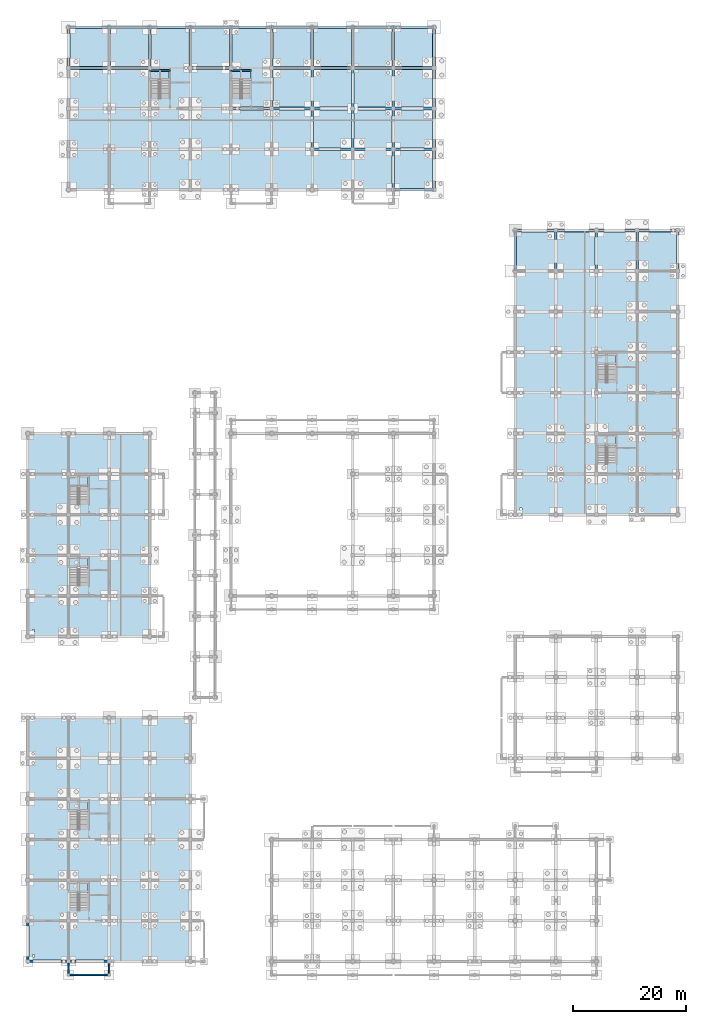
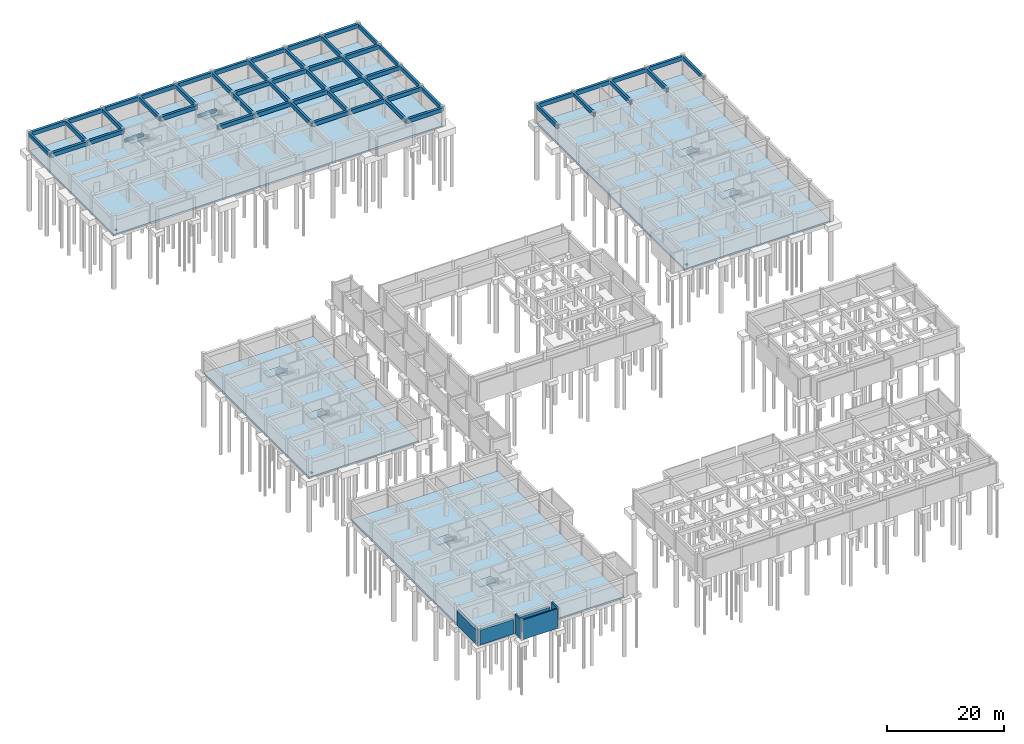
# One storey, part 23 of 38: 57 beams, 12 slabs, 6 walls, 8 elements without a shape of their own.
"""IFC4 building model written with IfcOpenShell, lengths in metres."""

from ifc_helpers import new_model, si_unit, direction, frame, frame_2d, origin, origin_2d, place, context, subcontext, project, spatial, polyline, rectangle, outline, extrude, material, layer, layer_set, material_profile, profile_set, type_object, element, aggregate, save


model = new_model("IFC4")

# Units and contexts
model_context = context("Model", 3, precision=1e-05, world=origin(), true_north=direction((0.0, 1.0)))
body_context = subcontext(model_context, "Body", "Model", "MODEL_VIEW")
ifc_project = project(units=[si_unit("LENGTHUNIT", "METRE"), si_unit("AREAUNIT", "SQUARE_METRE"), si_unit("VOLUMEUNIT", "CUBIC_METRE"), si_unit("PLANEANGLEUNIT", "RADIAN"), si_unit("MASSUNIT", "GRAM", prefix="KILO"), si_unit("THERMODYNAMICTEMPERATUREUNIT", "KELVIN"), si_unit("POWERUNIT", "WATT")], contexts=[model_context])

# Site, building, storey
site_placement = place(None, origin())
site = spatial("IfcSite", under=ifc_project, at=site_placement, CompositionType="ELEMENT")
building_placement = place(site_placement, origin())
building = spatial("IfcBuilding", under=site, at=building_placement, Name="Tavuni Mirador Residences", CompositionType="ELEMENT")
storey_placement = place(building_placement, frame((0.0, 0.0, -4.199951171875)))
storey = spatial("IfcBuildingStorey", under=building, at=storey_placement, Name="B1", CompositionType="ELEMENT", Elevation=-4.199951171875)

# Beams
ifc_material_1 = material(Name="Precast concrete C40/50", Category="concrete")
ifc_material_profile_1 = material_profile(ifc_material_1, rectangle(XDim=0.300048828125, YDim=0.5, at=origin_2d()), Name="PC 300x500", Category="concrete")
ifc_profile_set_1 = profile_set([ifc_material_profile_1], Name="Precast concrete C40/50")
beam_type_1 = type_object("IfcBeamType", Name="BT-B500", PredefinedType="BEAM", material=ifc_profile_set_1)
beam_1_placement = place(storey_placement, frame((25.199951171875, 165.14990234375, 1.669921875), z_axis=(1.0, 0.0, 0.0), x_axis=(0.0, 1.0, 0.0)))
element("IfcBeam", 1, at=beam_1_placement, inside=storey, type_object=beam_type_1, Name="HLB2-C5-B1", PredefinedType="BEAM", context=body_context, shape_type="SweptSolid", body=[
    extrude(rectangle(XDim=0.300048828125, YDim=0.5, at=origin_2d()), origin(), (0.0, 0.0, 1.0), 3.60009765625),
])
beam_2_placement = place(storey_placement, frame((39.60009765625, 165.14990234375, 1.669921875), z_axis=(1.0, 0.0, 0.0), x_axis=(0.0, 1.0, 0.0)))
element("IfcBeam", 2, at=beam_2_placement, inside=storey, type_object=beam_type_1, Name="HLB2-C6-B1", PredefinedType="BEAM", context=body_context, shape_type="SweptSolid", body=[
    extrude(rectangle(XDim=0.300048828125, YDim=0.5, at=origin_2d()), origin(), (0.0, 0.0, 1.0), 3.599853515625),
])
ifc_material_profile_2 = material_profile(ifc_material_1, rectangle(XDim=0.449951171875, YDim=0.800048828125, at=origin_2d()), Name="RC 450x800", Category="concrete")
ifc_profile_set_2 = profile_set([ifc_material_profile_2], Name="Precast concrete C40/50")
beam_type_2 = type_object("IfcBeamType", Name="BT-G800", PredefinedType="USERDEFINED", material=ifc_profile_set_2)
for number, where, z_axis, x_axis, name in (
    (3, (10.800048828125, 165.60009765625, 3.47998046875), (0.0, 1.0, 0.0), (-1.0, 0.0, 0.0), "BMY-BLK-C-B1-00-03"),
    (4, (18.0, 165.60009765625, 3.47998046875), (0.0, 1.0, 0.0), (-1.0, 0.0, 0.0), "BMY-BLK-C-B1-01-03"),
    (5, (25.199951171875, 165.60009765625, 3.47998046875), (0.0, 1.0, 0.0), (-1.0, 0.0, 0.0), "BMY-BLK-C-B1-02-03"),
    (6, (32.39990234375, 165.60009765625, 3.47998046875), (0.0, 1.0, 0.0), (-1.0, 0.0, 0.0), "BMY-BLK-C-B1-03-03"),
    (7, (39.60009765625, 165.60009765625, 3.47998046875), (0.0, 1.0, 0.0), (-1.0, 0.0, 0.0), "BMY-BLK-C-B1-04-03"),
):
    element("IfcBeam", number, at=place(storey_placement, frame(where, z_axis=z_axis, x_axis=x_axis)), inside=storey, type_object=beam_type_2, Name=name, ObjectType="GIRDER", PredefinedType="USERDEFINED", context=body_context, shape_type="SweptSolid", body=[
        extrude(rectangle(XDim=0.449951171875, YDim=0.800048828125, at=origin_2d()), origin(), (0.0, 0.0, 1.0), 7.199951171875),
    ])
beam_3_placement = place(storey_placement, frame((46.800048828125, 158.39990234375, 3.47998046875), z_axis=(0.0, 1.0, 0.0), x_axis=(-1.0, 0.0, 0.0)))
element("IfcBeam", 8, at=beam_3_placement, inside=storey, type_object=beam_type_2, Name="BMY-BLK-C-B1-05-02", ObjectType="GIRDER", PredefinedType="USERDEFINED", context=body_context, shape_type="SweptSolid", body=[
    extrude(rectangle(XDim=0.449951171875, YDim=0.800048828125, at=origin_2d()), origin(), (0.0, 0.0, 1.0), 7.2001953125),
])
for number, where, z_axis, x_axis, name in (
    (9, (46.800048828125, 165.60009765625, 3.47998046875), (0.0, 1.0, 0.0), (-1.0, 0.0, 0.0), "BMY-BLK-C-B1-05-03"),
    (10, (54.0, 151.199951171875, 3.47998046875), (0.0, 1.0, 0.0), (-1.0, 0.0, 0.0), "BMY-BLK-C-B1-06-01"),
):
    element("IfcBeam", number, at=place(storey_placement, frame(where, z_axis=z_axis, x_axis=x_axis)), inside=storey, type_object=beam_type_2, Name=name, ObjectType="GIRDER", PredefinedType="USERDEFINED", context=body_context, shape_type="SweptSolid", body=[
        extrude(rectangle(XDim=0.449951171875, YDim=0.800048828125, at=origin_2d()), origin(), (0.0, 0.0, 1.0), 7.199951171875),
    ])
beam_4_placement = place(storey_placement, frame((54.0, 158.39990234375, 3.47998046875), z_axis=(0.0, 1.0, 0.0), x_axis=(-1.0, 0.0, 0.0)))
element("IfcBeam", 11, at=beam_4_placement, inside=storey, type_object=beam_type_2, Name="BMY-BLK-C-B1-06-02", ObjectType="GIRDER", PredefinedType="USERDEFINED", context=body_context, shape_type="SweptSolid", body=[
    extrude(rectangle(XDim=0.449951171875, YDim=0.800048828125, at=origin_2d()), origin(), (0.0, 0.0, 1.0), 7.2001953125),
])
for number, where, z_axis, x_axis, name in (
    (12, (54.0, 165.60009765625, 3.47998046875), (0.0, 1.0, 0.0), (-1.0, 0.0, 0.0), "BMY-BLK-C-B1-06-03"),
    (13, (61.199951171875, 151.199951171875, 3.47998046875), (0.0, 1.0, 0.0), (-1.0, 0.0, 0.0), "BMY-BLK-C-B1-07-01"),
):
    element("IfcBeam", number, at=place(storey_placement, frame(where, z_axis=z_axis, x_axis=x_axis)), inside=storey, type_object=beam_type_2, Name=name, ObjectType="GIRDER", PredefinedType="USERDEFINED", context=body_context, shape_type="SweptSolid", body=[
        extrude(rectangle(XDim=0.449951171875, YDim=0.800048828125, at=origin_2d()), origin(), (0.0, 0.0, 1.0), 7.199951171875),
    ])
beam_5_placement = place(storey_placement, frame((61.199951171875, 158.39990234375, 3.47998046875), z_axis=(0.0, 1.0, 0.0), x_axis=(-1.0, 0.0, 0.0)))
element("IfcBeam", 14, at=beam_5_placement, inside=storey, type_object=beam_type_2, Name="BMY-BLK-C-B1-07-02", ObjectType="GIRDER", PredefinedType="USERDEFINED", context=body_context, shape_type="SweptSolid", body=[
    extrude(rectangle(XDim=0.449951171875, YDim=0.800048828125, at=origin_2d()), origin(), (0.0, 0.0, 1.0), 7.2001953125),
])
for number, where, z_axis, x_axis, name in (
    (15, (61.199951171875, 165.60009765625, 3.47998046875), (0.0, 1.0, 0.0), (-1.0, 0.0, 0.0), "BMY-BLK-C-B1-07-03"),
    (16, (68.39990234375, 144.0, 3.47998046875), (0.0, 1.0, 0.0), (-1.0, 0.0, 0.0), "BMY-BLK-C-B1-08-00"),
    (17, (68.39990234375, 151.199951171875, 3.47998046875), (0.0, 1.0, 0.0), (-1.0, 0.0, 0.0), "BMY-BLK-C-B1-08-01"),
):
    element("IfcBeam", number, at=place(storey_placement, frame(where, z_axis=z_axis, x_axis=x_axis)), inside=storey, type_object=beam_type_2, Name=name, ObjectType="GIRDER", PredefinedType="USERDEFINED", context=body_context, shape_type="SweptSolid", body=[
        extrude(rectangle(XDim=0.449951171875, YDim=0.800048828125, at=origin_2d()), origin(), (0.0, 0.0, 1.0), 7.199951171875),
    ])
beam_6_placement = place(storey_placement, frame((68.39990234375, 158.39990234375, 3.47998046875), z_axis=(0.0, 1.0, 0.0), x_axis=(-1.0, 0.0, 0.0)))
element("IfcBeam", 18, at=beam_6_placement, inside=storey, type_object=beam_type_2, Name="BMY-BLK-C-B1-08-02", ObjectType="GIRDER", PredefinedType="USERDEFINED", context=body_context, shape_type="SweptSolid", body=[
    extrude(rectangle(XDim=0.449951171875, YDim=0.800048828125, at=origin_2d()), origin(), (0.0, 0.0, 1.0), 7.2001953125),
])
for number, where, z_axis, x_axis, name in (
    (19, (68.39990234375, 165.60009765625, 3.47998046875), (0.0, 1.0, 0.0), (-1.0, 0.0, 0.0), "BMY-BLK-C-B1-08-03"),
    (20, (75.60009765625, 144.0, 3.47998046875), (0.0, 1.0, 0.0), (-1.0, 0.0, 0.0), "BMY-BLK-C-B1-09-00"),
    (21, (75.60009765625, 151.199951171875, 3.47998046875), (0.0, 1.0, 0.0), (-1.0, 0.0, 0.0), "BMY-BLK-C-B1-09-01"),
):
    element("IfcBeam", number, at=place(storey_placement, frame(where, z_axis=z_axis, x_axis=x_axis)), inside=storey, type_object=beam_type_2, Name=name, ObjectType="GIRDER", PredefinedType="USERDEFINED", context=body_context, shape_type="SweptSolid", body=[
        extrude(rectangle(XDim=0.449951171875, YDim=0.800048828125, at=origin_2d()), origin(), (0.0, 0.0, 1.0), 7.199951171875),
    ])
beam_7_placement = place(storey_placement, frame((75.60009765625, 158.39990234375, 3.47998046875), z_axis=(0.0, 1.0, 0.0), x_axis=(-1.0, 0.0, 0.0)))
element("IfcBeam", 22, at=beam_7_placement, inside=storey, type_object=beam_type_2, Name="BMY-BLK-C-B1-09-02", ObjectType="GIRDER", PredefinedType="USERDEFINED", context=body_context, shape_type="SweptSolid", body=[
    extrude(rectangle(XDim=0.449951171875, YDim=0.800048828125, at=origin_2d()), origin(), (0.0, 0.0, 1.0), 7.2001953125),
])
for number, where, z_axis, x_axis, name in (
    (23, (75.60009765625, 165.60009765625, 3.47998046875), (0.0, 1.0, 0.0), (-1.0, 0.0, 0.0), "BMY-BLK-C-B1-09-03"),
    (24, (90.0, 129.60009765625, 3.47998046875), (0.0, 1.0, 0.0), (-1.0, 0.0, 0.0), "BMY-BLK-D-B1-00-06"),
    (25, (97.199951171875, 129.60009765625, 3.47998046875), (0.0, 1.0, 0.0), (-1.0, 0.0, 0.0), "BMY-BLK-D-B1-01-06"),
    (26, (104.39990234375, 129.60009765625, 3.47998046875), (0.0, 1.0, 0.0), (-1.0, 0.0, 0.0), "BMY-BLK-D-B1-02-06"),
    (27, (111.60009765625, 129.60009765625, 3.47998046875), (0.0, 1.0, 0.0), (-1.0, 0.0, 0.0), "BMY-BLK-D-B1-03-06"),
    (28, (118.800048828125, 129.60009765625, 3.47998046875), (0.0, 1.0, 0.0), (-1.0, 0.0, 0.0), "BMY-BLK-D-B1-04-06"),
):
    element("IfcBeam", number, at=place(storey_placement, frame(where, z_axis=z_axis, x_axis=x_axis)), inside=storey, type_object=beam_type_2, Name=name, ObjectType="GIRDER", PredefinedType="USERDEFINED", context=body_context, shape_type="SweptSolid", body=[
        extrude(rectangle(XDim=0.449951171875, YDim=0.800048828125, at=origin_2d()), origin(), (0.0, 0.0, 1.0), 7.199951171875),
    ])
ifc_material_profile_3 = material_profile(ifc_material_1, rectangle(XDim=0.5, YDim=0.85009765625, at=origin_2d()), Name="RC 500x850", Category="concrete")
ifc_profile_set_3 = profile_set([ifc_material_profile_3], Name="Precast concrete C40/50")
beam_type_3 = type_object("IfcBeamType", Name="BT-G850", PredefinedType="USERDEFINED", material=ifc_profile_set_3)
beam_8_placement = place(storey_placement, frame((68.39990234375, 144.0, 3.454833984375), z_axis=(1.0, 0.0, 0.0), x_axis=(0.0, 1.0, 0.0)))
element("IfcBeam", 29, at=beam_8_placement, inside=storey, type_object=beam_type_3, Name="BMX-BLK-C-B1-08-00", ObjectType="GIRDER", PredefinedType="USERDEFINED", context=body_context, shape_type="SweptSolid", body=[
    extrude(rectangle(XDim=0.5, YDim=0.85009765625, at=origin_2d()), origin(), (0.0, 0.0, 1.0), 7.2001953125),
])
for number, where, z_axis, x_axis, name in (
    (30, (54.0, 151.199951171875, 3.454833984375), (1.0, 0.0, 0.0), (0.0, 1.0, 0.0), "BMX-BLK-C-B1-06-01"),
    (31, (61.199951171875, 151.199951171875, 3.454833984375), (1.0, 0.0, 0.0), (0.0, 1.0, 0.0), "BMX-BLK-C-B1-07-01"),
):
    element("IfcBeam", number, at=place(storey_placement, frame(where, z_axis=z_axis, x_axis=x_axis)), inside=storey, type_object=beam_type_3, Name=name, ObjectType="GIRDER", PredefinedType="USERDEFINED", context=body_context, shape_type="SweptSolid", body=[
        extrude(rectangle(XDim=0.5, YDim=0.85009765625, at=origin_2d()), origin(), (0.0, 0.0, 1.0), 7.199951171875),
    ])
beam_9_placement = place(storey_placement, frame((68.39990234375, 151.199951171875, 3.454833984375), z_axis=(1.0, 0.0, 0.0), x_axis=(0.0, 1.0, 0.0)))
element("IfcBeam", 32, at=beam_9_placement, inside=storey, type_object=beam_type_3, Name="BMX-BLK-C-B1-08-01", ObjectType="GIRDER", PredefinedType="USERDEFINED", context=body_context, shape_type="SweptSolid", body=[
    extrude(rectangle(XDim=0.5, YDim=0.85009765625, at=origin_2d()), origin(), (0.0, 0.0, 1.0), 7.2001953125),
])
for number, where, z_axis, x_axis, name in (
    (33, (39.60009765625, 158.39990234375, 3.454833984375), (1.0, 0.0, 0.0), (0.0, 1.0, 0.0), "BMX-BLK-C-B1-04-02"),
    (34, (46.800048828125, 158.39990234375, 3.454833984375), (1.0, 0.0, 0.0), (0.0, 1.0, 0.0), "BMX-BLK-C-B1-05-02"),
    (35, (54.0, 158.39990234375, 3.454833984375), (1.0, 0.0, 0.0), (0.0, 1.0, 0.0), "BMX-BLK-C-B1-06-02"),
    (36, (61.199951171875, 158.39990234375, 3.454833984375), (1.0, 0.0, 0.0), (0.0, 1.0, 0.0), "BMX-BLK-C-B1-07-02"),
):
    element("IfcBeam", number, at=place(storey_placement, frame(where, z_axis=z_axis, x_axis=x_axis)), inside=storey, type_object=beam_type_3, Name=name, ObjectType="GIRDER", PredefinedType="USERDEFINED", context=body_context, shape_type="SweptSolid", body=[
        extrude(rectangle(XDim=0.5, YDim=0.85009765625, at=origin_2d()), origin(), (0.0, 0.0, 1.0), 7.199951171875),
    ])
beam_10_placement = place(storey_placement, frame((68.39990234375, 158.39990234375, 3.454833984375), z_axis=(1.0, 0.0, 0.0), x_axis=(0.0, 1.0, 0.0)))
element("IfcBeam", 37, at=beam_10_placement, inside=storey, type_object=beam_type_3, Name="BMX-BLK-C-B1-08-02", ObjectType="GIRDER", PredefinedType="USERDEFINED", context=body_context, shape_type="SweptSolid", body=[
    extrude(rectangle(XDim=0.5, YDim=0.85009765625, at=origin_2d()), origin(), (0.0, 0.0, 1.0), 7.2001953125),
])
for number, where, z_axis, x_axis, name in (
    (38, (10.800048828125, 165.60009765625, 3.454833984375), (1.0, 0.0, 0.0), (0.0, 1.0, 0.0), "BMX-BLK-C-B1-00-03"),
    (39, (18.0, 165.60009765625, 3.454833984375), (1.0, 0.0, 0.0), (0.0, 1.0, 0.0), "BMX-BLK-C-B1-01-03"),
):
    element("IfcBeam", number, at=place(storey_placement, frame(where, z_axis=z_axis, x_axis=x_axis)), inside=storey, type_object=beam_type_3, Name=name, ObjectType="GIRDER", PredefinedType="USERDEFINED", context=body_context, shape_type="SweptSolid", body=[
        extrude(rectangle(XDim=0.5, YDim=0.85009765625, at=origin_2d()), origin(), (0.0, 0.0, 1.0), 7.199951171875),
    ])
beam_11_placement = place(storey_placement, frame((32.39990234375, 165.60009765625, 3.454833984375), z_axis=(1.0, 0.0, 0.0), x_axis=(0.0, 1.0, 0.0)))
element("IfcBeam", 40, at=beam_11_placement, inside=storey, type_object=beam_type_3, Name="BMX-BLK-C-B1-03-03", ObjectType="GIRDER", PredefinedType="USERDEFINED", context=body_context, shape_type="SweptSolid", body=[
    extrude(rectangle(XDim=0.5, YDim=0.85009765625, at=origin_2d()), origin(), (0.0, 0.0, 1.0), 7.2001953125),
])
for number, where, z_axis, x_axis, name in (
    (41, (46.800048828125, 165.60009765625, 3.454833984375), (1.0, 0.0, 0.0), (0.0, 1.0, 0.0), "BMX-BLK-C-B1-05-03"),
    (42, (54.0, 165.60009765625, 3.454833984375), (1.0, 0.0, 0.0), (0.0, 1.0, 0.0), "BMX-BLK-C-B1-06-03"),
    (43, (61.199951171875, 165.60009765625, 3.454833984375), (1.0, 0.0, 0.0), (0.0, 1.0, 0.0), "BMX-BLK-C-B1-07-03"),
):
    element("IfcBeam", number, at=place(storey_placement, frame(where, z_axis=z_axis, x_axis=x_axis)), inside=storey, type_object=beam_type_3, Name=name, ObjectType="GIRDER", PredefinedType="USERDEFINED", context=body_context, shape_type="SweptSolid", body=[
        extrude(rectangle(XDim=0.5, YDim=0.85009765625, at=origin_2d()), origin(), (0.0, 0.0, 1.0), 7.199951171875),
    ])
beam_12_placement = place(storey_placement, frame((68.39990234375, 165.60009765625, 3.454833984375), z_axis=(1.0, 0.0, 0.0), x_axis=(0.0, 1.0, 0.0)))
element("IfcBeam", 44, at=beam_12_placement, inside=storey, type_object=beam_type_3, Name="BMX-BLK-C-B1-08-03", ObjectType="GIRDER", PredefinedType="USERDEFINED", context=body_context, shape_type="SweptSolid", body=[
    extrude(rectangle(XDim=0.5, YDim=0.85009765625, at=origin_2d()), origin(), (0.0, 0.0, 1.0), 7.2001953125),
])
for number, where, z_axis, x_axis, name in (
    (45, (10.800048828125, 172.800048828125, 3.454833984375), (1.0, 0.0, 0.0), (0.0, 1.0, 0.0), "BMX-BLK-C-B1-00-04"),
    (46, (18.0, 172.800048828125, 3.454833984375), (1.0, 0.0, 0.0), (0.0, 1.0, 0.0), "BMX-BLK-C-B1-01-04"),
    (47, (25.199951171875, 172.800048828125, 3.454833984375), (1.0, 0.0, 0.0), (0.0, 1.0, 0.0), "BMX-BLK-C-B1-02-04"),
):
    element("IfcBeam", number, at=place(storey_placement, frame(where, z_axis=z_axis, x_axis=x_axis)), inside=storey, type_object=beam_type_3, Name=name, ObjectType="GIRDER", PredefinedType="USERDEFINED", context=body_context, shape_type="SweptSolid", body=[
        extrude(rectangle(XDim=0.5, YDim=0.85009765625, at=origin_2d()), origin(), (0.0, 0.0, 1.0), 7.199951171875),
    ])
beam_13_placement = place(storey_placement, frame((32.39990234375, 172.800048828125, 3.454833984375), z_axis=(1.0, 0.0, 0.0), x_axis=(0.0, 1.0, 0.0)))
element("IfcBeam", 48, at=beam_13_placement, inside=storey, type_object=beam_type_3, Name="BMX-BLK-C-B1-03-04", ObjectType="GIRDER", PredefinedType="USERDEFINED", context=body_context, shape_type="SweptSolid", body=[
    extrude(rectangle(XDim=0.5, YDim=0.85009765625, at=origin_2d()), origin(), (0.0, 0.0, 1.0), 7.2001953125),
])
for number, where, z_axis, x_axis, name in (
    (49, (39.60009765625, 172.800048828125, 3.454833984375), (1.0, 0.0, 0.0), (0.0, 1.0, 0.0), "BMX-BLK-C-B1-04-04"),
    (50, (46.800048828125, 172.800048828125, 3.454833984375), (1.0, 0.0, 0.0), (0.0, 1.0, 0.0), "BMX-BLK-C-B1-05-04"),
    (51, (54.0, 172.800048828125, 3.454833984375), (1.0, 0.0, 0.0), (0.0, 1.0, 0.0), "BMX-BLK-C-B1-06-04"),
    (52, (61.199951171875, 172.800048828125, 3.454833984375), (1.0, 0.0, 0.0), (0.0, 1.0, 0.0), "BMX-BLK-C-B1-07-04"),
):
    element("IfcBeam", number, at=place(storey_placement, frame(where, z_axis=z_axis, x_axis=x_axis)), inside=storey, type_object=beam_type_3, Name=name, ObjectType="GIRDER", PredefinedType="USERDEFINED", context=body_context, shape_type="SweptSolid", body=[
        extrude(rectangle(XDim=0.5, YDim=0.85009765625, at=origin_2d()), origin(), (0.0, 0.0, 1.0), 7.199951171875),
    ])
beam_14_placement = place(storey_placement, frame((68.39990234375, 172.800048828125, 3.454833984375), z_axis=(1.0, 0.0, 0.0), x_axis=(0.0, 1.0, 0.0)))
element("IfcBeam", 53, at=beam_14_placement, inside=storey, type_object=beam_type_3, Name="BMX-BLK-C-B1-08-04", ObjectType="GIRDER", PredefinedType="USERDEFINED", context=body_context, shape_type="SweptSolid", body=[
    extrude(rectangle(XDim=0.5, YDim=0.85009765625, at=origin_2d()), origin(), (0.0, 0.0, 1.0), 7.2001953125),
])
for number, where, z_axis, x_axis, name in (
    (54, (90.0, 136.800048828125, 3.454833984375), (1.0, 0.0, 0.0), (0.0, 1.0, 0.0), "BMX-BLK-D-B1-00-07"),
    (55, (97.199951171875, 136.800048828125, 3.454833984375), (1.0, 0.0, 0.0), (0.0, 1.0, 0.0), "BMX-BLK-D-B1-01-07"),
):
    element("IfcBeam", number, at=place(storey_placement, frame(where, z_axis=z_axis, x_axis=x_axis)), inside=storey, type_object=beam_type_3, Name=name, ObjectType="GIRDER", PredefinedType="USERDEFINED", context=body_context, shape_type="SweptSolid", body=[
        extrude(rectangle(XDim=0.5, YDim=0.85009765625, at=origin_2d()), origin(), (0.0, 0.0, 1.0), 7.199951171875),
    ])
beam_15_placement = place(storey_placement, frame((104.39990234375, 136.800048828125, 3.454833984375), z_axis=(1.0, 0.0, 0.0), x_axis=(0.0, 1.0, 0.0)))
element("IfcBeam", 56, at=beam_15_placement, inside=storey, type_object=beam_type_3, Name="BMX-BLK-D-B1-02-07", ObjectType="GIRDER", PredefinedType="USERDEFINED", context=body_context, shape_type="SweptSolid", body=[
    extrude(rectangle(XDim=0.5, YDim=0.85009765625, at=origin_2d()), origin(), (0.0, 0.0, 1.0), 7.2001953125),
])
beam_16_placement = place(storey_placement, frame((111.60009765625, 136.800048828125, 3.454833984375), z_axis=(1.0, 0.0, 0.0), x_axis=(0.0, 1.0, 0.0)))
element("IfcBeam", 57, at=beam_16_placement, inside=storey, type_object=beam_type_3, Name="BMX-BLK-D-B1-03-07", ObjectType="GIRDER", PredefinedType="USERDEFINED", context=body_context, shape_type="SweptSolid", body=[
    extrude(rectangle(XDim=0.5, YDim=0.85009765625, at=origin_2d()), origin(), (0.0, 0.0, 1.0), 7.199951171875),
])

# Slabs
ifc_material_2 = material(Name="In-situ concrete C35/45", Category="concrete")
ifc_layer_1 = layer(ifc_material_2, 0.39990234375, Name="In-situ concrete C35/45", Category="concrete")
ifc_layer_set_1 = layer_set([ifc_layer_1], Name="In-situ concrete C35/45")
slab_type_1 = type_object("IfcSlabType", Name="SLT-BASE400", PredefinedType="BASESLAB", material=ifc_layer_set_1)
slab_1_placement = place(storey_placement, frame((0.0, 0.0, -0.400146484375)))
element("IfcSlab", 58, at=slab_1_placement, inside=storey, type_object=slab_type_1, Name="SLB-BLK-A-B1", PredefinedType="BASESLAB", context=body_context, shape_type="SweptSolid", body=[
    extrude(outline(polyline([(3.60009765625, 7.199951171875), (32.39990234375, 7.199951171875), (32.39990234375, 50.39990234375), (3.60009765625, 50.39990234375), (3.60009765625, 7.199951171875)]), holes=[polyline([(4.39990234375, 8.0), (4.800048828125, 8.0), (4.800048828125, 8.39990234375), (4.39990234375, 8.39990234375), (4.39990234375, 8.0)])]), origin(), (0.0, 0.0, 1.0), 0.400146484375),
])
slab_2_placement = place(storey_placement, frame((0.0, 0.0, -0.400146484375)))
element("IfcSlab", 59, at=slab_2_placement, inside=storey, type_object=slab_type_1, Name="SLB-BLK-B-B1", PredefinedType="BASESLAB", context=body_context, shape_type="SweptSolid", body=[
    extrude(outline(polyline([(3.60009765625, 64.800048828125), (25.199951171875, 64.800048828125), (25.199951171875, 100.800048828125), (3.60009765625, 100.800048828125), (3.60009765625, 64.800048828125)]), holes=[polyline([(4.39990234375, 65.60009765625), (4.800048828125, 65.60009765625), (4.800048828125, 66.0), (4.39990234375, 66.0), (4.39990234375, 65.60009765625)])]), origin(), (0.0, 0.0, 1.0), 0.400146484375),
])
slab_3_placement = place(storey_placement, frame((0.0, 0.0, -0.400146484375)))
element("IfcSlab", 60, at=slab_3_placement, inside=storey, type_object=slab_type_1, Name="SLB-BLK-C-B1", PredefinedType="BASESLAB", context=body_context, shape_type="SweptSolid", body=[
    extrude(outline(polyline([(10.800048828125, 144.0), (75.60009765625, 144.0), (75.60009765625, 172.800048828125), (10.800048828125, 172.800048828125), (10.800048828125, 144.0)]), holes=[polyline([(11.60009765625, 144.800048828125), (12.0, 144.800048828125), (12.0, 145.199951171875), (11.60009765625, 145.199951171875), (11.60009765625, 144.800048828125)])]), origin(), (0.0, 0.0, 1.0), 0.400146484375),
])
slab_4_placement = place(storey_placement, frame((0.0, 0.0, -0.400146484375)))
element("IfcSlab", 61, at=slab_4_placement, inside=storey, type_object=slab_type_1, Name="SLB-BLK-D-B1", PredefinedType="BASESLAB", context=body_context, shape_type="SweptSolid", body=[
    extrude(outline(polyline([(90.0, 86.39990234375), (118.800048828125, 86.39990234375), (118.800048828125, 136.800048828125), (90.0, 136.800048828125), (90.0, 86.39990234375)]), holes=[polyline([(90.800048828125, 87.199951171875), (91.199951171875, 87.199951171875), (91.199951171875, 87.60009765625), (90.800048828125, 87.60009765625), (90.800048828125, 87.199951171875)])]), origin(), (0.0, 0.0, 1.0), 0.400146484375),
])

# Stair, slab
stair_type = type_object("IfcStairType", Name="STT-B1", PredefinedType="HALF_TURN_STAIR", material=ifc_material_1)
stair_1_placement = place(storey_placement, origin())
stair_1 = element("IfcStair", 62, at=stair_1_placement, inside=storey, type_object=stair_type, Name="Protected exit stair ST1 (B1)", PredefinedType="HALF_TURN_STAIR")
ifc_layer_2 = layer(ifc_material_1, 0.179931640625, Name="Precast concrete C40/50", Category="concrete")
ifc_layer_set_2 = layer_set([ifc_layer_2], Name="Precast concrete C40/50")
slab_type_2 = type_object("IfcSlabType", Name="SLT-LND180", PredefinedType="LANDING", material=ifc_layer_set_2)
slab_5_placement = place(storey_placement, frame((0.0, 0.0, 1.919921875)))
slab_5 = element("IfcSlab", 63, at=slab_5_placement, type_object=slab_type_2, Name="ST1 landing 1", PredefinedType="LANDING", context=body_context, shape_type="SweptSolid", body=[
    extrude(outline(polyline([(10.93994140625, 19.382080078125), (14.260009765625, 19.382080078125), (14.260009765625, 21.300048828125), (10.93994140625, 21.300048828125), (10.93994140625, 19.382080078125)])), origin(), (0.0, 0.0, 1.0), 0.179931640625),
])
aggregate(stair_1, [slab_5])

stair_2_placement = place(storey_placement, origin())
stair_2 = element("IfcStair", 64, at=stair_2_placement, inside=storey, type_object=stair_type, Name="Protected exit stair ST2 (B1)", PredefinedType="HALF_TURN_STAIR")
slab_6_placement = place(storey_placement, frame((0.0, 0.0, 1.919921875)))
slab_6 = element("IfcSlab", 65, at=slab_6_placement, type_object=slab_type_2, Name="ST2 landing 1", PredefinedType="LANDING", context=body_context, shape_type="SweptSolid", body=[
    extrude(outline(polyline([(10.93994140625, 33.781982421875), (14.260009765625, 33.781982421875), (14.260009765625, 35.699951171875), (10.93994140625, 35.699951171875), (10.93994140625, 33.781982421875)])), origin(), (0.0, 0.0, 1.0), 0.179931640625),
])
aggregate(stair_2, [slab_6])

stair_3_placement = place(storey_placement, origin())
stair_3 = element("IfcStair", 66, at=stair_3_placement, inside=storey, type_object=stair_type, Name="Protected exit stair ST3 (B1)", PredefinedType="HALF_TURN_STAIR")
slab_7_placement = place(storey_placement, frame((0.0, 0.0, 1.919921875)))
slab_7 = element("IfcSlab", 67, at=slab_7_placement, type_object=slab_type_2, Name="ST3 landing 1", PredefinedType="LANDING", context=body_context, shape_type="SweptSolid", body=[
    extrude(outline(polyline([(10.93994140625, 76.98193359375), (14.260009765625, 76.98193359375), (14.260009765625, 78.89990234375), (10.93994140625, 78.89990234375), (10.93994140625, 76.98193359375)])), origin(), (0.0, 0.0, 1.0), 0.179931640625),
])
aggregate(stair_3, [slab_7])

stair_4_placement = place(storey_placement, origin())
stair_4 = element("IfcStair", 68, at=stair_4_placement, inside=storey, type_object=stair_type, Name="Protected exit stair ST4 (B1)", PredefinedType="HALF_TURN_STAIR")
slab_8_placement = place(storey_placement, frame((0.0, 0.0, 1.919921875)))
slab_8 = element("IfcSlab", 69, at=slab_8_placement, type_object=slab_type_2, Name="ST4 landing 1", PredefinedType="LANDING", context=body_context, shape_type="SweptSolid", body=[
    extrude(outline(polyline([(10.93994140625, 91.382080078125), (14.260009765625, 91.382080078125), (14.260009765625, 93.300048828125), (10.93994140625, 93.300048828125), (10.93994140625, 91.382080078125)])), origin(), (0.0, 0.0, 1.0), 0.179931640625),
])
aggregate(stair_4, [slab_8])

stair_5_placement = place(storey_placement, origin())
stair_5 = element("IfcStair", 70, at=stair_5_placement, inside=storey, type_object=stair_type, Name="Protected exit stair ST5 (B1)", PredefinedType="HALF_TURN_STAIR")
slab_9_placement = place(storey_placement, frame((0.0, 0.0, 1.919921875)))
slab_9 = element("IfcSlab", 71, at=slab_9_placement, type_object=slab_type_2, Name="ST5 landing 1", PredefinedType="LANDING", context=body_context, shape_type="SweptSolid", body=[
    extrude(outline(polyline([(25.340087890625, 163.382080078125), (28.659912109375, 163.382080078125), (28.659912109375, 165.300048828125), (25.340087890625, 165.300048828125), (25.340087890625, 163.382080078125)])), origin(), (0.0, 0.0, 1.0), 0.179931640625),
])
aggregate(stair_5, [slab_9])

stair_6_placement = place(storey_placement, origin())
stair_6 = element("IfcStair", 72, at=stair_6_placement, inside=storey, type_object=stair_type, Name="Protected exit stair ST6 (B1)", PredefinedType="HALF_TURN_STAIR")
slab_10_placement = place(storey_placement, frame((0.0, 0.0, 1.919921875)))
slab_10 = element("IfcSlab", 73, at=slab_10_placement, type_object=slab_type_2, Name="ST6 landing 1", PredefinedType="LANDING", context=body_context, shape_type="SweptSolid", body=[
    extrude(outline(polyline([(39.739990234375, 163.382080078125), (43.06005859375, 163.382080078125), (43.06005859375, 165.300048828125), (39.739990234375, 165.300048828125), (39.739990234375, 163.382080078125)])), origin(), (0.0, 0.0, 1.0), 0.179931640625),
])
aggregate(stair_6, [slab_10])

stair_7_placement = place(storey_placement, origin())
stair_7 = element("IfcStair", 74, at=stair_7_placement, inside=storey, type_object=stair_type, Name="Protected exit stair ST7 (B1)", PredefinedType="HALF_TURN_STAIR")
slab_11_placement = place(storey_placement, frame((0.0, 0.0, 1.919921875)))
slab_11 = element("IfcSlab", 75, at=slab_11_placement, type_object=slab_type_2, Name="ST7 landing 1", PredefinedType="LANDING", context=body_context, shape_type="SweptSolid", body=[
    extrude(outline(polyline([(104.5400390625, 98.58203125), (107.860107421875, 98.58203125), (107.860107421875, 100.5), (104.5400390625, 100.5), (104.5400390625, 98.58203125)])), origin(), (0.0, 0.0, 1.0), 0.179931640625),
])
aggregate(stair_7, [slab_11])

stair_8_placement = place(storey_placement, origin())
stair_8 = element("IfcStair", 76, at=stair_8_placement, inside=storey, type_object=stair_type, Name="Protected exit stair ST8 (B1)", PredefinedType="HALF_TURN_STAIR")
slab_12_placement = place(storey_placement, frame((0.0, 0.0, 1.919921875)))
slab_12 = element("IfcSlab", 77, at=slab_12_placement, type_object=slab_type_2, Name="ST8 landing 1", PredefinedType="LANDING", context=body_context, shape_type="SweptSolid", body=[
    extrude(outline(polyline([(104.5400390625, 112.98193359375), (107.860107421875, 112.98193359375), (107.860107421875, 114.89990234375), (104.5400390625, 114.89990234375), (104.5400390625, 112.98193359375)])), origin(), (0.0, 0.0, 1.0), 0.179931640625),
])
aggregate(stair_8, [slab_12])

# Walls
ifc_layer_3 = layer(ifc_material_2, 0.419921875, Name="In-situ concrete C35/45", Category="concrete")
ifc_layer_set_3 = layer_set([ifc_layer_3], Name="In-situ concrete C35/45")
wall_type_1 = type_object("IfcWallType", Name="WT-RET420", PredefinedType="USERDEFINED", material=ifc_layer_set_3)
for number, where, z_axis, x_axis, name in (
    (78, (3.925048828125, 7.199951171875, 0.0), (0.0, 0.0, 1.0), (1.0, 0.0, 0.0), "RET-BLK-A-S-00"),
    (79, (11.125, 7.199951171875, 0.0), (0.0, 0.0, 1.0), (1.0, 0.0, 0.0), "RET-BLK-A-S-01"),
    (80, (3.60009765625, 14.074951171875, 0.0), (0.0, 0.0, 1.0), (0.0, -1.0, 0.0), "RET-BLK-A-W-00"),
):
    element("IfcWall", number, at=place(storey_placement, frame(where, z_axis=z_axis, x_axis=x_axis)), inside=storey, type_object=wall_type_1, Name=name, ObjectType="RETAINING WALL", PredefinedType="USERDEFINED", context=body_context, shape_type="SweptSolid", body=[
        extrude(rectangle(XDim=6.550048828125, YDim=0.419921875, at=frame_2d((3.27490234375, 0.0))), origin(), (0.0, 0.0, 1.0), 3.030029296875),
    ])
ifc_layer_4 = layer(ifc_material_1, 0.264892578125, Name="Precast concrete C40/50", Category="concrete")
ifc_layer_set_4 = layer_set([ifc_layer_4], Name="Precast concrete C40/50")
wall_type_2 = type_object("IfcWallType", Name="WT-XW265", PredefinedType="SOLIDWALL", material=ifc_layer_set_4)
wall_placement = place(storey_placement, frame((11.010009765625, 4.800048828125, 0.0), z_axis=(0.0, 0.0, 1.0), x_axis=(1.0, 0.0, 0.0)))
element("IfcWall", 81, at=wall_placement, inside=storey, type_object=wall_type_2, Name="RET-APR-BLKA-S-S0", PredefinedType="SOLIDWALL", context=body_context, shape_type="SweptSolid", body=[
    extrude(rectangle(XDim=6.780029296875, YDim=0.264892578125, at=frame_2d((3.39013671875, 0.0))), origin(), (0.0, 0.0, 1.0), 4.119873046875),
])
for number, where, z_axis, x_axis, name in (
    (82, (18.0, 5.010009765625, 0.0), (0.0, 0.0, 1.0), (0.0, 1.0, 0.0), "RET-APR-BLKA-S-E0"),
    (83, (10.800048828125, 6.875, 0.0), (0.0, 0.0, 1.0), (0.0, -1.0, 0.0), "RET-APR-BLKA-S-W0"),
):
    element("IfcWall", number, at=place(storey_placement, frame(where, z_axis=z_axis, x_axis=x_axis)), inside=storey, type_object=wall_type_2, Name=name, PredefinedType="SOLIDWALL", context=body_context, shape_type="SweptSolid", body=[
        extrude(rectangle(XDim=1.864990234375, YDim=0.264892578125, at=frame_2d((0.9326171875, 0.0))), origin(), (0.0, 0.0, 1.0), 4.119873046875),
    ])

save(model, "model.ifc")
